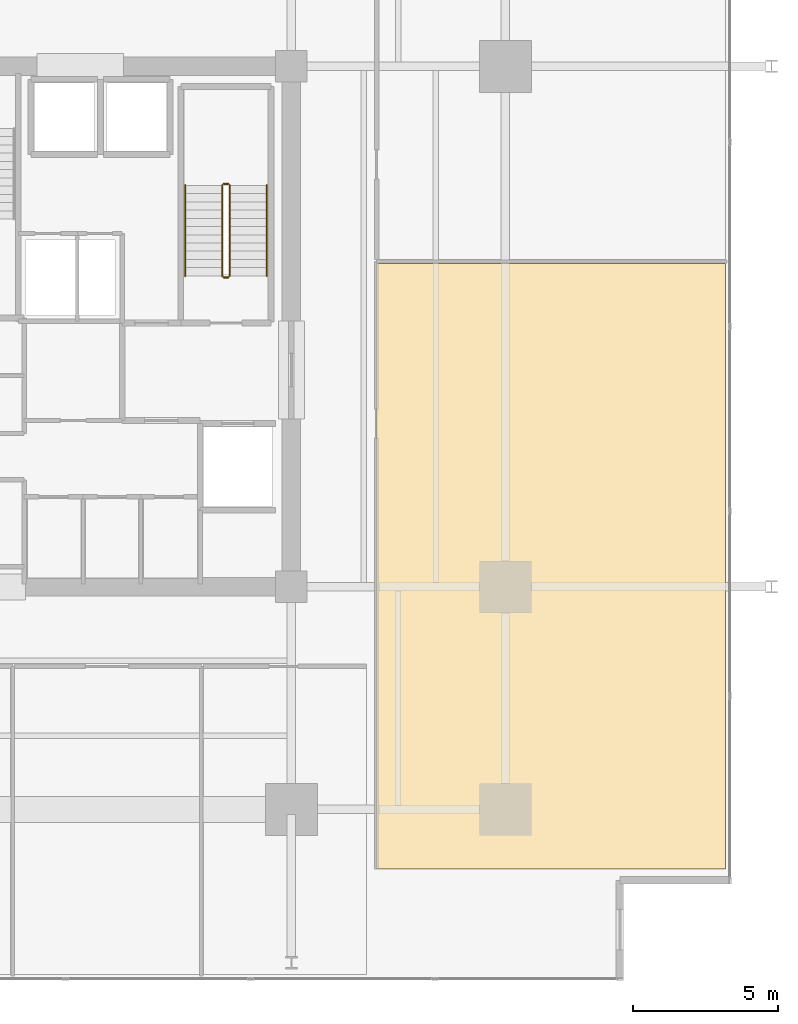
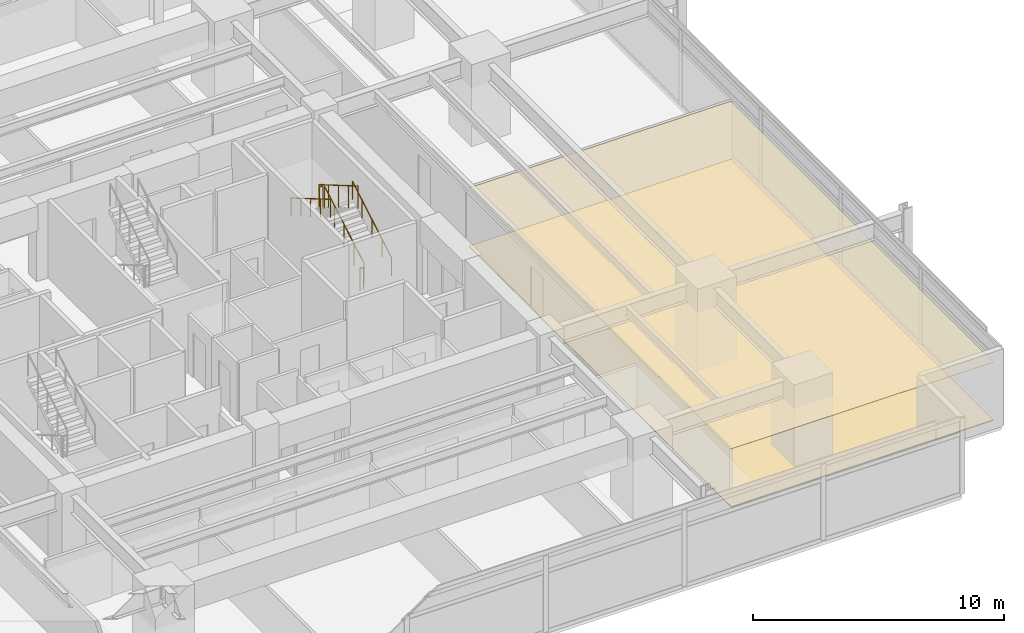
# One storey, part 19 of 20: 6 railings, 2 coverings.
"""IFC4 building model written with IfcOpenShell, lengths in metres."""

from ifc_helpers import new_model, si_unit, direction, frame, origin, origin_2d, place, context, subcontext, project, spatial, polyline, circle, outline, extrude, material, layer, layer_set, type_object, element, save


model = new_model("IFC4")

# Units and contexts
model_context = context("Model", 3, precision=1e-05, world=origin(), true_north=direction((0.0, 1.0)))
body_context = subcontext(model_context, "Body", "Model", "MODEL_VIEW")
ifc_project = project(units=[si_unit("LENGTHUNIT", "METRE"), si_unit("AREAUNIT", "SQUARE_METRE"), si_unit("VOLUMEUNIT", "CUBIC_METRE"), si_unit("PLANEANGLEUNIT", "RADIAN"), si_unit("MASSUNIT", "GRAM", prefix="KILO")], contexts=[model_context])

# Site, building, storey
site_placement = place(None, origin())
site = spatial("IfcSite", under=ifc_project, at=site_placement, CompositionType="ELEMENT")
building_placement = place(site_placement, origin())
building = spatial("IfcBuilding", under=site, at=building_placement, Name="Kovane Verandah Tower", CompositionType="ELEMENT")
storey_placement = place(building_placement, frame((0.0, 0.0, 75.60009765625)))
storey = spatial("IfcBuildingStorey", under=building, at=storey_placement, Name="L17", CompositionType="ELEMENT", Elevation=75.60009765625)

# Coverings
ifc_material_1 = material(Name="Perforated Acoustic Mineral-Fibre Ceiling Tile", Category="gypsum")
ifc_layer_1 = layer(ifc_material_1, 0.02490234375)
ifc_layer_set_1 = layer_set([ifc_layer_1], Name="Perforated Acoustic Mineral-Fibre Ceiling Tile")
covering_type_1 = type_object("IfcCoveringType", Name="CV-CEIL-25", PredefinedType="CEILING", material=ifc_layer_set_1)
covering_1_placement = place(storey_placement, frame((0.0, 0.0, 2.824951171875)))
element("IfcCovering", 1, at=covering_1_placement, inside=storey, type_object=covering_type_1, Name="L17 Breakout Pantry E1 Acoustic Ceiling", PredefinedType="CEILING", context=body_context, shape_type="SweptSolid", body=[
    extrude(outline(polyline([(53.949951171875, 8.746337890625), (66.012451171875, 8.746337890625), (66.012451171875, 29.680419921875), (53.949951171875, 29.680419921875), (53.949951171875, 8.746337890625)])), origin(), (0.0, 0.0, 1.0), 0.02490234375),
])
ifc_material_2 = material(Name="Polished Terrazzo and Raised-Access Carpet Tile Finish", Category="concrete")
ifc_layer_2 = layer(ifc_material_2, 0.030029296875)
ifc_layer_set_2 = layer_set([ifc_layer_2], Name="Polished Terrazzo and Raised-Access Carpet Tile Finish")
covering_type_2 = type_object("IfcCoveringType", Name="CV-FLOR-30", PredefinedType="FLOORING", material=ifc_layer_set_2)
covering_2_placement = place(storey_placement, origin())
element("IfcCovering", 2, at=covering_2_placement, inside=storey, type_object=covering_type_2, Name="L17 Breakout Pantry E1 Floor Finish", PredefinedType="FLOORING", context=body_context, shape_type="SweptSolid", body=[
    extrude(outline(polyline([(53.949951171875, 8.746337890625), (66.012451171875, 8.746337890625), (66.012451171875, 29.680419921875), (53.949951171875, 29.680419921875), (53.949951171875, 8.746337890625)])), origin(), (0.0, 0.0, 1.0), 0.02978515625),
])

# Railings
ifc_material_3 = material(Name="Brushed Stainless Steel Handrail", Category="steel")
railing_type_1 = type_object("IfcRailingType", Name="RL-HAND-920", PredefinedType="HANDRAIL", material=ifc_material_3)
railing_1_placement = place(storey_placement, frame((50.14990234375, 29.25, 0.16650390625)))
element("IfcRailing", 3, at=railing_1_placement, inside=storey, type_object=railing_type_1, Name="L17 ST-02 stair handrail 1", PredefinedType="HANDRAIL", context=body_context, shape_type="SweptSolid", body=[
    extrude(circle(Radius=0.02392578125, at=origin_2d()), frame((0.0, 0.0, 0.8759765625), z_axis=(0.0, 0.863210265497, 0.504844567704), x_axis=(-1.0, 0.0, 0.0)), (0.0, 0.0, 1.0), 3.6318359375),
    extrude(circle(Radius=0.02099609375, at=origin_2d()), origin(), (0.0, 0.0, 1.0), 0.851806640625),
    extrude(circle(Radius=0.02099609375, at=origin_2d()), frame((0.0, 0.78369140625, 0.45849609375)), (0.0, 0.0, 1.0), 0.851806640625),
    extrude(circle(Radius=0.02099609375, at=origin_2d()), frame((0.0, 1.5673828125, 0.916748046875)), (0.0, 0.0, 1.0), 0.851806640625),
    extrude(circle(Radius=0.02099609375, at=origin_2d()), frame((0.0, 2.351318359375, 1.375)), (0.0, 0.0, 1.0), 0.851806640625),
    extrude(circle(Radius=0.02099609375, at=origin_2d()), frame((0.0, 3.135009765625, 1.83349609375)), (0.0, 0.0, 1.0), 0.851806640625),
])
railing_2_placement = place(storey_placement, frame((47.330078125, 32.385009765625, 2.16650390625)))
element("IfcRailing", 4, at=railing_2_placement, inside=storey, type_object=railing_type_1, Name="L17 ST-02 stair handrail 2", PredefinedType="HANDRAIL", context=body_context, shape_type="SweptSolid", body=[
    extrude(circle(Radius=0.02392578125, at=origin_2d()), frame((0.0, 0.0, 0.8759765625), z_axis=(0.0, -0.863210265497, 0.504844567704), x_axis=(1.0, 0.0, 0.0)), (0.0, 0.0, 1.0), 3.6318359375),
    extrude(circle(Radius=0.02099609375, at=origin_2d()), origin(), (0.0, 0.0, 1.0), 0.851806640625),
    extrude(circle(Radius=0.02099609375, at=origin_2d()), frame((0.0, -0.78369140625, 0.45849609375)), (0.0, 0.0, 1.0), 0.851806640625),
    extrude(circle(Radius=0.02099609375, at=origin_2d()), frame((0.0, -1.5673828125, 0.916748046875)), (0.0, 0.0, 1.0), 0.851806640625),
    extrude(circle(Radius=0.02099609375, at=origin_2d()), frame((0.0, -2.351318359375, 1.375)), (0.0, 0.0, 1.0), 0.851806640625),
    extrude(circle(Radius=0.02099609375, at=origin_2d()), frame((0.0, -3.135009765625, 1.83349609375)), (0.0, 0.0, 1.0), 0.851806640625),
])
ifc_material_4 = material(Name="Painted Steel Stairwell Guardrail", Category="steel")
railing_type_2 = type_object("IfcRailingType", Name="RL-STGUARD-1120", PredefinedType="GUARDRAIL", material=ifc_material_4)
railing_3_placement = place(storey_placement, frame((48.8701171875, 29.25, 0.16650390625)))
element("IfcRailing", 5, at=railing_3_placement, inside=storey, type_object=railing_type_2, Name="L17 ST-02 stair guard 1", PredefinedType="GUARDRAIL", context=body_context, shape_type="SweptSolid", body=[
    extrude(circle(Radius=0.02392578125, at=origin_2d()), frame((0.0, 0.0, 1.076171875), z_axis=(0.0, 0.863210265497, 0.504844567704), x_axis=(-1.0, 0.0, 0.0)), (0.0, 0.0, 1.0), 3.6318359375),
    extrude(circle(Radius=0.02099609375, at=origin_2d()), origin(), (0.0, 0.0, 1.0), 1.052001953125),
    extrude(circle(Radius=0.02099609375, at=origin_2d()), frame((0.0, 0.78369140625, 0.45849609375)), (0.0, 0.0, 1.0), 1.052001953125),
    extrude(circle(Radius=0.02099609375, at=origin_2d()), frame((0.0, 1.5673828125, 0.916748046875)), (0.0, 0.0, 1.0), 1.052001953125),
    extrude(circle(Radius=0.02099609375, at=origin_2d()), frame((0.0, 2.351318359375, 1.375)), (0.0, 0.0, 1.0), 1.052001953125),
    extrude(circle(Radius=0.02099609375, at=origin_2d()), frame((0.0, 3.135009765625, 1.83349609375)), (0.0, 0.0, 1.0), 1.052001953125),
])
railing_4_placement = place(storey_placement, frame((48.820068359375, 32.43505859375, 2.0)))
element("IfcRailing", 6, at=railing_4_placement, inside=storey, type_object=railing_type_2, Name="L17 ST-02 stair guard 2", PredefinedType="GUARDRAIL", context=body_context, shape_type="SweptSolid", body=[
    extrude(circle(Radius=0.02392578125, at=origin_2d()), frame((0.0, 0.0, 1.076171875), z_axis=(-1.0, 0.0, 0.0), x_axis=(0.0, -1.0, 0.0)), (0.0, 0.0, 1.0), 0.16015625),
    extrude(circle(Radius=0.02099609375, at=origin_2d()), origin(), (0.0, 0.0, 1.0), 1.052001953125),
    extrude(circle(Radius=0.02099609375, at=origin_2d()), frame((-0.16015625, 0.0, 0.0)), (0.0, 0.0, 1.0), 1.052001953125),
])
railing_5_placement = place(storey_placement, frame((48.610107421875, 32.385009765625, 2.16650390625)))
element("IfcRailing", 7, at=railing_5_placement, inside=storey, type_object=railing_type_2, Name="L17 ST-02 stair guard 3", PredefinedType="GUARDRAIL", context=body_context, shape_type="SweptSolid", body=[
    extrude(circle(Radius=0.02392578125, at=origin_2d()), frame((0.0, 0.0, 1.076171875), z_axis=(0.0, -0.863210265497, 0.504844567704), x_axis=(1.0, 0.0, 0.0)), (0.0, 0.0, 1.0), 3.6318359375),
    extrude(circle(Radius=0.02099609375, at=origin_2d()), origin(), (0.0, 0.0, 1.0), 1.052001953125),
    extrude(circle(Radius=0.02099609375, at=origin_2d()), frame((0.0, -0.78369140625, 0.45849609375)), (0.0, 0.0, 1.0), 1.052001953125),
    extrude(circle(Radius=0.02099609375, at=origin_2d()), frame((0.0, -1.5673828125, 0.916748046875)), (0.0, 0.0, 1.0), 1.052001953125),
    extrude(circle(Radius=0.02099609375, at=origin_2d()), frame((0.0, -2.351318359375, 1.375)), (0.0, 0.0, 1.0), 1.052001953125),
    extrude(circle(Radius=0.02099609375, at=origin_2d()), frame((0.0, -3.135009765625, 1.83349609375)), (0.0, 0.0, 1.0), 1.052001953125),
])
railing_6_placement = place(storey_placement, frame((48.820068359375, 29.199951171875, 0.0)))
element("IfcRailing", 8, at=railing_6_placement, inside=storey, type_object=railing_type_2, Name="L17 ST-02 stair guard 4", PredefinedType="GUARDRAIL", context=body_context, shape_type="SweptSolid", body=[
    extrude(circle(Radius=0.02392578125, at=origin_2d()), frame((0.0, 0.0, 1.076171875), z_axis=(-1.0, 0.0, 0.0), x_axis=(0.0, -1.0, 0.0)), (0.0, 0.0, 1.0), 0.16015625),
    extrude(circle(Radius=0.02099609375, at=origin_2d()), origin(), (0.0, 0.0, 1.0), 1.052001953125),
    extrude(circle(Radius=0.02099609375, at=origin_2d()), frame((-0.16015625, 0.0, 0.0)), (0.0, 0.0, 1.0), 1.052001953125),
])

save(model, "model.ifc")
